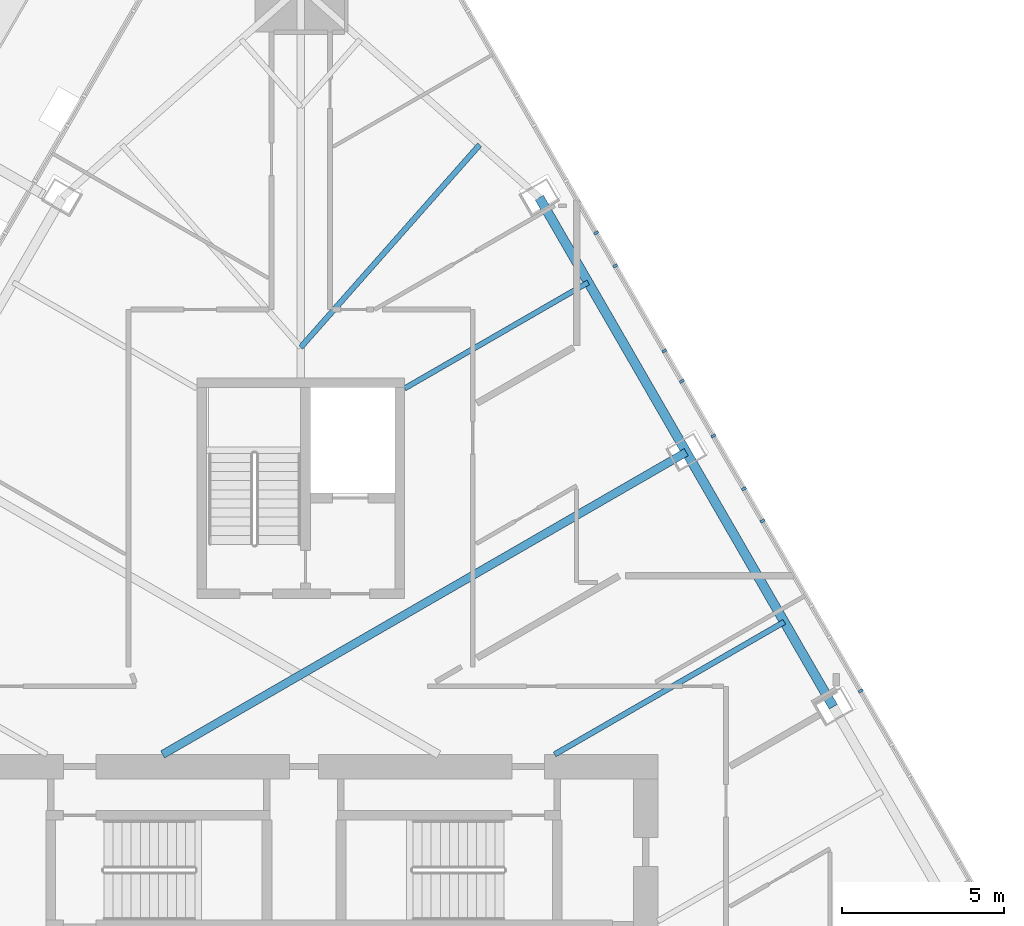
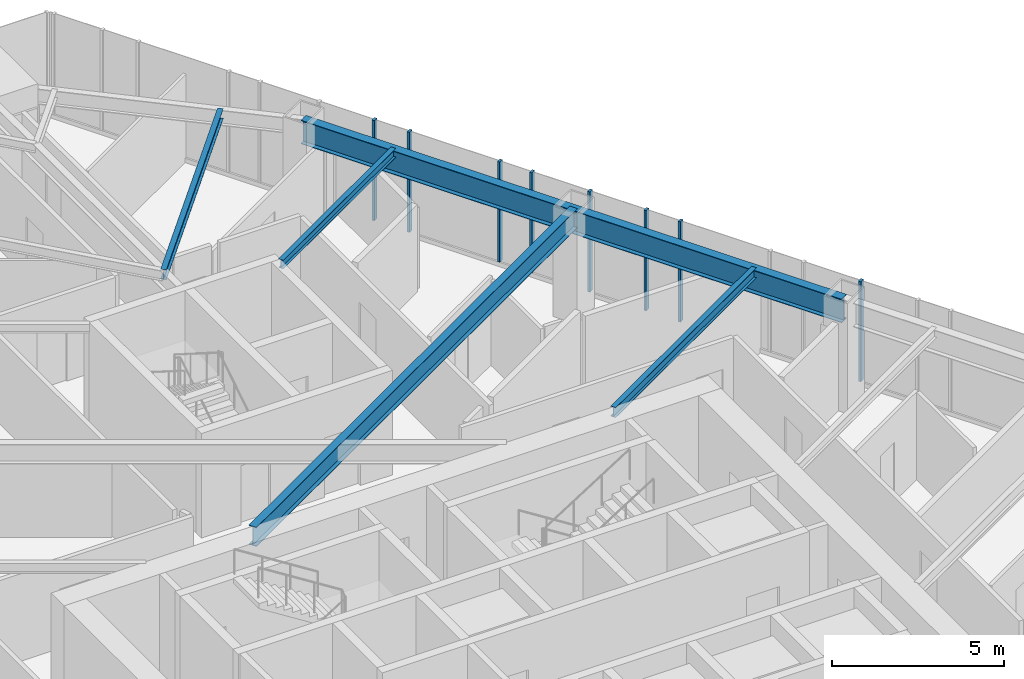
# One storey, part 11 of 35: 8 members, 5 beams, 1 element without a shape of its own.
"""IFC4 building model written with IfcOpenShell, lengths in metres."""

from ifc_helpers import new_model, si_unit, direction, frame, origin, origin_2d, place, context, subcontext, project, spatial, rectangle, i_section, extrude, material, layer, layer_set, material_profile, profile_set, type_object, element, aggregate, save


model = new_model("IFC4")

# Units and contexts
model_context = context("Model", 3, precision=1e-05, world=origin(), true_north=direction((0.0, 1.0)))
body_context = subcontext(model_context, "Body", "Model", "MODEL_VIEW")
ifc_project = project(units=[si_unit("LENGTHUNIT", "METRE"), si_unit("AREAUNIT", "SQUARE_METRE"), si_unit("VOLUMEUNIT", "CUBIC_METRE"), si_unit("PLANEANGLEUNIT", "RADIAN"), si_unit("MASSUNIT", "GRAM", prefix="KILO")], contexts=[model_context])

# Site, building, storey
site_placement = place(None, origin())
site = spatial("IfcSite", under=ifc_project, at=site_placement, CompositionType="ELEMENT")
building_placement = place(site_placement, origin())
building = spatial("IfcBuilding", under=site, at=building_placement, Name="Firuza Gate Tower and Library", CompositionType="ELEMENT")
storey_placement = place(building_placement, frame((0.0, 0.0, 159.699951171875)))
storey = spatial("IfcBuildingStorey", under=building, at=storey_placement, Name="L36", CompositionType="ELEMENT", Elevation=159.699951171875)

# Curtain wall, members
ifc_material_1 = material(Name="Aluminium 6063-T6", Category="aluminium")
ifc_layer = layer(ifc_material_1, 0.14990234375)
ifc_layer_set = layer_set([ifc_layer], Name="Unitised curtain wall, hotel")
curtain_wall_type = type_object("IfcCurtainWallType", Name="Unitised curtain wall, hotel", PredefinedType="NOTDEFINED", material=ifc_layer_set)
curtain_wall_placement = place(storey_placement, origin())
curtain_wall = element("IfcCurtainWall", 1, at=curtain_wall_placement, inside=storey, type_object=curtain_wall_type, Name="CW2 L36 E face", PredefinedType="NOTDEFINED")
ifc_material_2 = material(Name="Aluminium 6063-T6", Category="aluminium")
ifc_material_profile_1 = material_profile(ifc_material_2, rectangle(XDim=0.14990234375, YDim=0.080078125, at=origin_2d()))
ifc_profile_set_1 = profile_set([ifc_material_profile_1], Name="Aluminium 6063-T6")
member_type = type_object("IfcMemberType", Name="Curtain wall mullion 80x150", PredefinedType="MULLION", material=ifc_profile_set_1)
member_1_placement = place(storey_placement, frame((92.245849609375, 84.95703125, 0.150146484375), z_axis=(0.0, 0.0, 1.0), x_axis=(-0.866025403784, -0.5, 0.0)))
member_1 = element("IfcMember", 2, at=member_1_placement, type_object=member_type, Name="Mullion", PredefinedType="MULLION", context=body_context, shape_type="SweptSolid", body=[
    extrude(rectangle(XDim=0.14990234375, YDim=0.080078125, at=origin_2d()), origin(), (0.0, 0.0, 1.0), 3.5498046875),
])
member_2_placement = place(storey_placement, frame((89.22314453125, 90.192626953125, 0.150146484375), z_axis=(0.0, 0.0, 1.0), x_axis=(-0.866025403784, -0.5, 0.0)))
member_2 = element("IfcMember", 3, at=member_2_placement, type_object=member_type, Name="Mullion", PredefinedType="MULLION", context=body_context, shape_type="SweptSolid", body=[
    extrude(rectangle(XDim=0.14990234375, YDim=0.080078125, at=origin_2d()), origin(), (0.0, 0.0, 1.0), 3.5498046875),
])
member_3_placement = place(storey_placement, frame((87.711669921875, 92.810302734375, 0.150146484375), z_axis=(0.0, 0.0, 1.0), x_axis=(-0.866025403784, -0.5, 0.0)))
member_3 = element("IfcMember", 4, at=member_3_placement, type_object=member_type, Name="Mullion", PredefinedType="MULLION", context=body_context, shape_type="SweptSolid", body=[
    extrude(rectangle(XDim=0.14990234375, YDim=0.080078125, at=origin_2d()), origin(), (0.0, 0.0, 1.0), 3.5498046875),
])
member_4_placement = place(storey_placement, frame((86.2001953125, 95.42822265625, 0.150146484375), z_axis=(0.0, 0.0, 1.0), x_axis=(-0.866025403784, -0.5, 0.0)))
member_4 = element("IfcMember", 5, at=member_4_placement, type_object=member_type, Name="Mullion", PredefinedType="MULLION", context=body_context, shape_type="SweptSolid", body=[
    extrude(rectangle(XDim=0.14990234375, YDim=0.080078125, at=origin_2d()), origin(), (0.0, 0.0, 1.0), 3.5498046875),
])
member_5_placement = place(storey_placement, frame((84.68896484375, 98.046142578125, 0.150146484375), z_axis=(0.0, 0.0, 1.0), x_axis=(-0.866025403784, -0.5, 0.0)))
member_5 = element("IfcMember", 6, at=member_5_placement, type_object=member_type, Name="Mullion", PredefinedType="MULLION", context=body_context, shape_type="SweptSolid", body=[
    extrude(rectangle(XDim=0.14990234375, YDim=0.080078125, at=origin_2d()), origin(), (0.0, 0.0, 1.0), 3.5498046875),
])
member_6_placement = place(storey_placement, frame((88.652099609375, 91.181640625, 0.150146484375), z_axis=(0.0, 0.0, 1.0), x_axis=(-0.866025403784, -0.5, 0.0)))
member_6 = element("IfcMember", 7, at=member_6_placement, type_object=member_type, Name="Mullion", PredefinedType="MULLION", context=body_context, shape_type="SweptSolid", body=[
    extrude(rectangle(XDim=0.14990234375, YDim=0.080078125, at=origin_2d()), origin(), (0.0, 0.0, 1.0), 3.5498046875),
])
member_7_placement = place(storey_placement, frame((86.73974609375, 94.493896484375, 0.150146484375), z_axis=(0.0, 0.0, 1.0), x_axis=(-0.866025403784, -0.5, 0.0)))
member_7 = element("IfcMember", 8, at=member_7_placement, type_object=member_type, Name="Mullion", PredefinedType="MULLION", context=body_context, shape_type="SweptSolid", body=[
    extrude(rectangle(XDim=0.14990234375, YDim=0.080078125, at=origin_2d()), origin(), (0.0, 0.0, 1.0), 3.5498046875),
])
member_8_placement = place(storey_placement, frame((84.10205078125, 99.0625, 0.150146484375), z_axis=(0.0, 0.0, 1.0), x_axis=(-0.866025403784, -0.5, 0.0)))
member_8 = element("IfcMember", 9, at=member_8_placement, type_object=member_type, Name="Mullion", PredefinedType="MULLION", context=body_context, shape_type="SweptSolid", body=[
    extrude(rectangle(XDim=0.14990234375, YDim=0.080078125, at=origin_2d()), origin(), (0.0, 0.0, 1.0), 3.5498046875),
])
aggregate(curtain_wall, [member_1, member_2, member_3, member_4, member_5, member_6, member_7, member_8])

# Beams
ifc_material_3 = material(Name="Steel S355", Category="steel")
ifc_material_profile_2 = material_profile(ifc_material_3, i_section(OverallWidth=0.1650390625, OverallDepth=0.31005859375, WebThickness=0.005859375, FlangeThickness=0.009765625, at=origin_2d()))
ifc_profile_set_2 = profile_set([ifc_material_profile_2], Name="Steel S355")
beam_type_1 = type_object("IfcBeamType", Name="W310x39 Floor beam", PredefinedType="JOIST", material=ifc_profile_set_2)
beam_1_placement = place(storey_placement, frame((83.8564453125, 97.537841796875, 3.545166015625), z_axis=(-0.866019389049, -0.500010417683, 0.0), x_axis=(0.500010417683, -0.866019389049, 0.0)))
element("IfcBeam", 10, at=beam_1_placement, inside=storey, type_object=beam_type_1, Name="Floor beam L36 s55", PredefinedType="JOIST", context=body_context, shape_type="SweptSolid", body=[
    extrude(i_section(OverallWidth=0.1650390625, OverallDepth=0.31005859375, WebThickness=0.005859375, FlangeThickness=0.009765625, at=origin_2d()), origin(), (0.0, 0.0, 1.0), 6.531494140625),
])
ifc_material_4 = material(Name="Steel S355", Category="steel")
ifc_material_profile_3 = material_profile(ifc_material_4, i_section(OverallWidth=0.1708984375, OverallDepth=0.35498046875, WebThickness=0.007080078125, FlangeThickness=0.01171875, at=origin_2d()))
ifc_profile_set_3 = profile_set([ifc_material_profile_3], Name="Steel S355")
beam_type_2 = type_object("IfcBeamType", Name="W360x51 Floor beam", PredefinedType="JOIST", material=ifc_profile_set_3)
beam_2_placement = place(storey_placement, frame((89.892578125, 87.0830078125, 3.5224609375), z_axis=(-0.866034240187, -0.49998469459, 0.0), x_axis=(0.49998469459, -0.866034240187, 0.0)))
element("IfcBeam", 11, at=beam_2_placement, inside=storey, type_object=beam_type_2, Name="Floor beam L36 s53", PredefinedType="JOIST", context=body_context, shape_type="SweptSolid", body=[
    extrude(i_section(OverallWidth=0.1708984375, OverallDepth=0.35498046875, WebThickness=0.007080078125, FlangeThickness=0.01171875, at=origin_2d()), origin(), (0.0, 0.0, 1.0), 8.166259765625),
])
beam_3_placement = place(storey_placement, frame((80.5107421875, 101.774169921875, 3.5224609375), z_axis=(-0.662066797423, -0.749444831692, 0.0), x_axis=(0.749444831692, -0.662066797423, 0.0)))
element("IfcBeam", 12, at=beam_3_placement, inside=storey, type_object=beam_type_2, Name="Floor beam L36 s60", PredefinedType="JOIST", context=body_context, shape_type="SweptSolid", body=[
    extrude(i_section(OverallWidth=0.1708984375, OverallDepth=0.35498046875, WebThickness=0.007080078125, FlangeThickness=0.01171875, at=origin_2d()), origin(), (0.0, 0.0, 1.0), 8.323486328125),
])
ifc_material_5 = material(Name="Steel S355", Category="steel")
ifc_material_profile_4 = material_profile(ifc_material_5, i_section(OverallWidth=0.2529296875, OverallDepth=0.677978515625, WebThickness=0.01171875, FlangeThickness=0.016357421875, at=origin_2d()))
ifc_profile_set_4 = profile_set([ifc_material_profile_4], Name="Steel S355")
beam_type_3 = type_object("IfcBeamType", Name="W690x125 Floor beam", PredefinedType="JOIST", material=ifc_profile_set_4)
beam_4_placement = place(storey_placement, frame((86.87451171875, 92.310302734375, 3.361083984375), z_axis=(-0.866026198502, -0.499998623507, 0.0), x_axis=(0.499998623507, -0.866026198502, 0.0)))
element("IfcBeam", 13, at=beam_4_placement, inside=storey, type_object=beam_type_3, Name="Floor beam L36 s54", PredefinedType="JOIST", context=body_context, shape_type="SweptSolid", body=[
    extrude(i_section(OverallWidth=0.2529296875, OverallDepth=0.677978515625, WebThickness=0.01171875, FlangeThickness=0.016357421875, at=origin_2d()), origin(), (0.0, 0.0, 1.0), 18.62060546875),
])
ifc_material_6 = material(Name="Steel S355", Category="steel")
ifc_material_profile_5 = material_profile(ifc_material_6, i_section(OverallWidth=0.2919921875, OverallDepth=0.8349609375, WebThickness=0.013916015625, FlangeThickness=0.018798828125, at=origin_2d()))
ifc_profile_set_5 = profile_set([ifc_material_profile_5], Name="Steel S355")
beam_type_4 = type_object("IfcBeamType", Name="W840x176 Edge beam", PredefinedType="SPANDREL", material=ifc_profile_set_5)
beam_5_placement = place(storey_placement, frame((91.401611328125, 84.469482421875, 3.282470703125), z_axis=(-0.500000608324, 0.866025052568, 0.0), x_axis=(-0.866025052568, -0.500000608324, 0.0)))
element("IfcBeam", 14, at=beam_5_placement, inside=storey, type_object=beam_type_4, Name="Edge beam L36 e52", PredefinedType="SPANDREL", context=body_context, shape_type="SweptSolid", body=[
    extrude(i_section(OverallWidth=0.2919921875, OverallDepth=0.8349609375, WebThickness=0.013916015625, FlangeThickness=0.018798828125, at=origin_2d()), origin(), (0.0, 0.0, 1.0), 18.10791015625),
])

save(model, "model.ifc")
